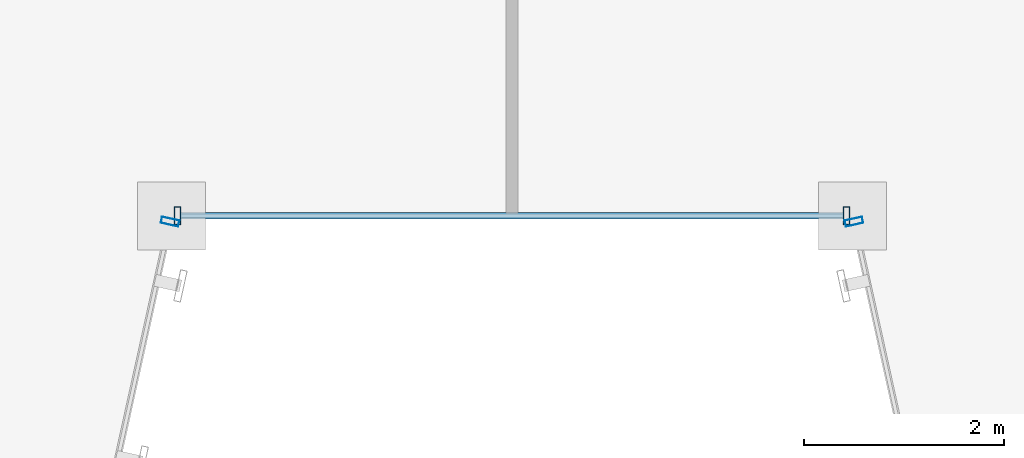
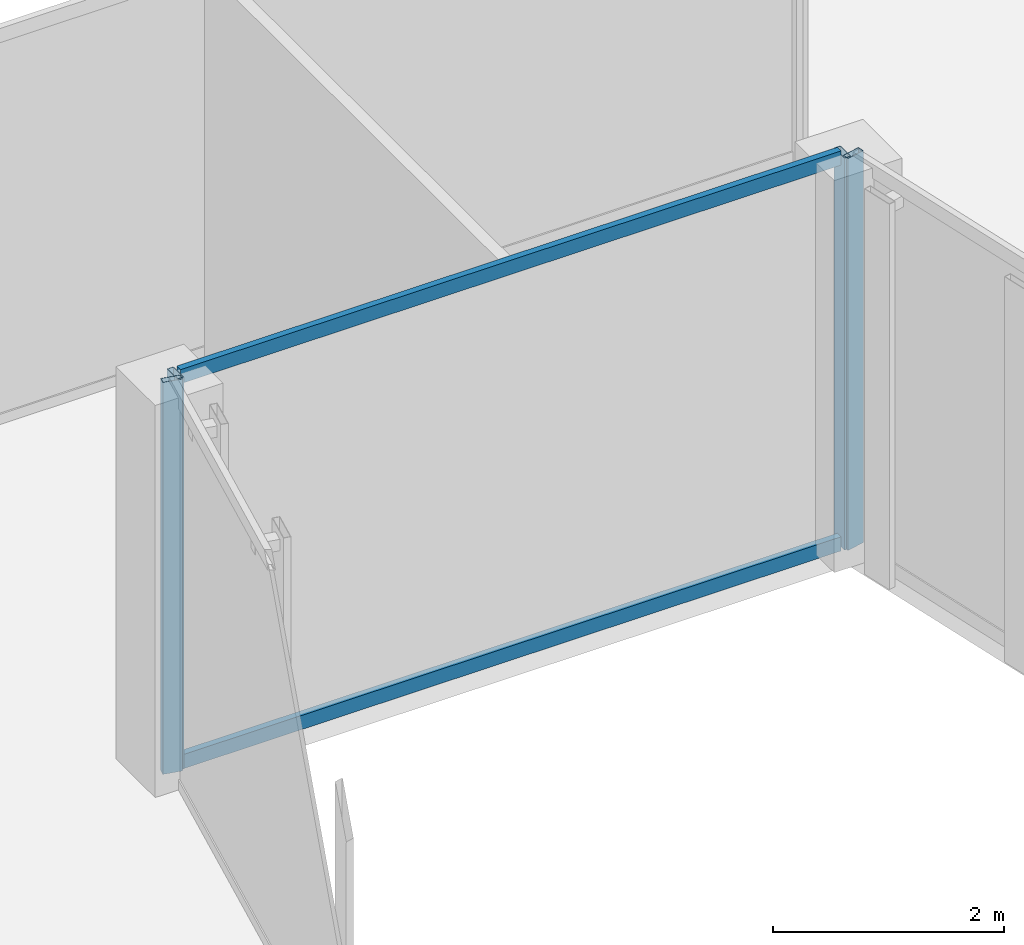
# One storey, part 9 of 47: 6 members, 3 elements without a shape of their own.
"""IFC4 building model written with IfcOpenShell, lengths in metres."""

from ifc_helpers import new_model, si_unit, direction, frame, origin, origin_2d, place, context, subcontext, project, spatial, hollow_rectangle, extrude, material, material_profile, profile_set, type_object, element, aggregate, save


model = new_model("IFC4")

# Units and contexts
model_context = context("Model", 3, precision=1e-05, world=origin(), true_north=direction((0.0, 1.0)))
body_context = subcontext(model_context, "Body", "Model", "MODEL_VIEW")
ifc_project = project(units=[si_unit("LENGTHUNIT", "METRE"), si_unit("AREAUNIT", "SQUARE_METRE"), si_unit("VOLUMEUNIT", "CUBIC_METRE"), si_unit("PLANEANGLEUNIT", "RADIAN"), si_unit("MASSUNIT", "GRAM", prefix="KILO")], contexts=[model_context])

# Site, building, storey
site_placement = place(None, origin())
site = spatial("IfcSite", under=ifc_project, at=site_placement, CompositionType="ELEMENT")
building_placement = place(site_placement, origin())
building = spatial("IfcBuilding", under=site, at=building_placement, Name="Saevonmaru Cultural Tower", CompositionType="ELEMENT")
storey_placement = place(building_placement, frame((0.0, 0.0, 78.0)))
storey = spatial("IfcBuildingStorey", under=building, at=storey_placement, Name="L16", CompositionType="ELEMENT", Elevation=78.0)

# Curtain wall, member
ifc_material = material(Name="Satin Bronze Anodised Aluminium", Category="aluminium")
curtain_wall_type = type_object("IfcCurtainWallType", Name="CW-TYP-A", PredefinedType="NOTDEFINED", material=ifc_material)
curtain_wall_1_placement = place(storey_placement, origin())
curtain_wall_1 = element("IfcCurtainWall", 1, at=curtain_wall_1_placement, inside=storey, type_object=curtain_wall_type, Name="L16 Unitised Curtain Wall E3", PredefinedType="NOTDEFINED")
ifc_material_profile_1 = material_profile(ifc_material, hollow_rectangle(XDim=0.06494140625, YDim=0.179931640625, WallThickness=0.00390625, at=origin_2d()), Name="ALU-MULL-180x65x4")
ifc_profile_set_1 = profile_set([ifc_material_profile_1], Name="Satin Bronze Anodised Aluminium")
member_type_1 = type_object("IfcMemberType", Name="ML-CW-180x65", PredefinedType="MULLION", material=ifc_profile_set_1)
member_1_placement = place(storey_placement, frame((26.587158203125, 15.54150390625, 0.0), z_axis=(0.0, 0.0, 1.0), x_axis=(0.215413319953, 0.976522965212, 0.0)))
member_1 = element("IfcMember", 2, at=member_1_placement, type_object=member_type_1, Name="CW-TW-L16-E3 mullion 2", PredefinedType="MULLION", context=body_context, shape_type="SweptSolid", body=[
    extrude(hollow_rectangle(XDim=0.06494140625, YDim=0.179931640625, WallThickness=0.00390625, at=origin_2d()), origin(), (0.0, 0.0, 1.0), 4.14990234375),
])
aggregate(curtain_wall_1, [member_1])

# Curtain wall, members
curtain_wall_2_placement = place(storey_placement, origin())
curtain_wall_2 = element("IfcCurtainWall", 3, at=curtain_wall_2_placement, inside=storey, type_object=curtain_wall_type, Name="L16 Unitised Curtain Wall E4", PredefinedType="NOTDEFINED")
member_2_placement = place(storey_placement, frame((26.659912109375, 15.60009765625, 0.0), z_axis=(0.0, 0.0, 1.0), x_axis=(1.0, 0.0, 0.0)))
member_2 = element("IfcMember", 4, at=member_2_placement, type_object=member_type_1, Name="CW-TW-L16-E4 mullion 1", PredefinedType="MULLION", context=body_context, shape_type="SweptSolid", body=[
    extrude(hollow_rectangle(XDim=0.06494140625, YDim=0.179931640625, WallThickness=0.00390625, at=origin_2d()), origin(), (0.0, 0.0, 1.0), 4.14990234375),
])
member_3_placement = place(storey_placement, frame((33.340087890625, 15.60009765625, 0.0), z_axis=(0.0, 0.0, 1.0), x_axis=(1.0, 0.0, 0.0)))
member_3 = element("IfcMember", 5, at=member_3_placement, type_object=member_type_1, Name="CW-TW-L16-E4 mullion 2", PredefinedType="MULLION", context=body_context, shape_type="SweptSolid", body=[
    extrude(hollow_rectangle(XDim=0.06494140625, YDim=0.179931640625, WallThickness=0.00390625, at=origin_2d()), origin(), (0.0, 0.0, 1.0), 4.14990234375),
])

# Curtain wall, member
curtain_wall_3_placement = place(storey_placement, origin())
curtain_wall_3 = element("IfcCurtainWall", 6, at=curtain_wall_3_placement, inside=storey, type_object=curtain_wall_type, Name="L16 Unitised Curtain Wall E5", PredefinedType="NOTDEFINED")
member_4_placement = place(storey_placement, frame((33.412841796875, 15.54150390625, 0.0), z_axis=(0.0, 0.0, 1.0), x_axis=(0.215413319953, -0.976522965212, 0.0)))
member_4 = element("IfcMember", 7, at=member_4_placement, type_object=member_type_1, Name="CW-TW-L16-E5 mullion 1", PredefinedType="MULLION", context=body_context, shape_type="SweptSolid", body=[
    extrude(hollow_rectangle(XDim=0.06494140625, YDim=0.179931640625, WallThickness=0.00390625, at=origin_2d()), origin(), (0.0, 0.0, 1.0), 4.14990234375),
])
aggregate(curtain_wall_3, [member_4])

# Member
ifc_material_profile_2 = material_profile(ifc_material, hollow_rectangle(XDim=0.06494140625, YDim=0.14990234375, WallThickness=0.00390625, at=origin_2d()), Name="ALU-TRAN-150x65x4")
ifc_profile_set_2 = profile_set([ifc_material_profile_2], Name="Satin Bronze Anodised Aluminium")
member_type_2 = type_object("IfcMemberType", Name="TR-CW-150x65", PredefinedType="USERDEFINED", material=ifc_profile_set_2)
member_5_placement = place(storey_placement, frame((26.6923828125, 15.60009765625, 0.032470703125), z_axis=(1.0, 0.0, 0.0), x_axis=(0.0, 1.0, 0.0)))
member_5 = element("IfcMember", 8, at=member_5_placement, type_object=member_type_2, Name="CW-TW-L16-E4 transom 1.1", ObjectType="TRANSOM", PredefinedType="USERDEFINED", context=body_context, shape_type="SweptSolid", body=[
    extrude(hollow_rectangle(XDim=0.06494140625, YDim=0.14990234375, WallThickness=0.00390625, at=origin_2d()), origin(), (0.0, 0.0, 1.0), 6.615234375),
])

member_6_placement = place(storey_placement, frame((26.6923828125, 15.60009765625, 4.117431640625), z_axis=(1.0, 0.0, 0.0), x_axis=(0.0, 1.0, 0.0)))
member_6 = element("IfcMember", 9, at=member_6_placement, type_object=member_type_2, Name="CW-TW-L16-E4 transom 1.2", ObjectType="TRANSOM", PredefinedType="USERDEFINED", context=body_context, shape_type="SweptSolid", body=[
    extrude(hollow_rectangle(XDim=0.06494140625, YDim=0.14990234375, WallThickness=0.00390625, at=origin_2d()), origin(), (0.0, 0.0, 1.0), 6.615234375),
])

aggregate(curtain_wall_2, [member_2, member_3, member_5, member_6])

save(model, "model.ifc")
